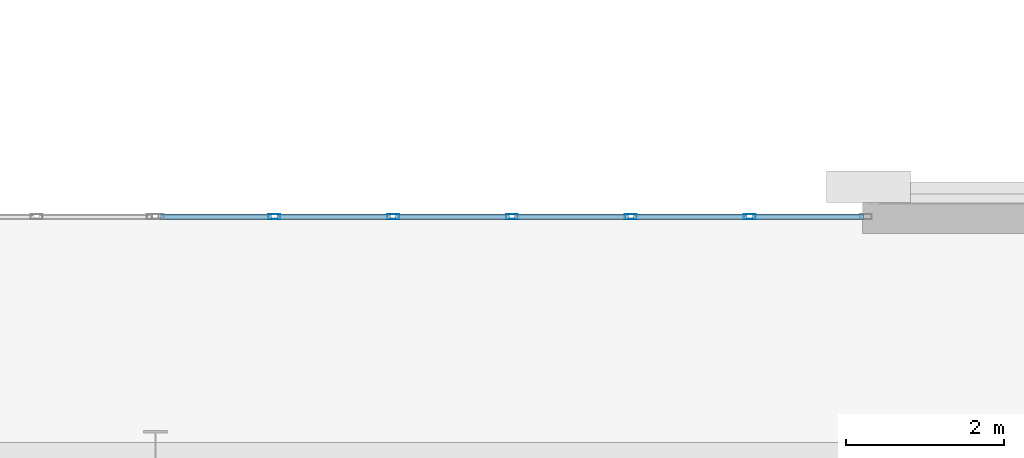
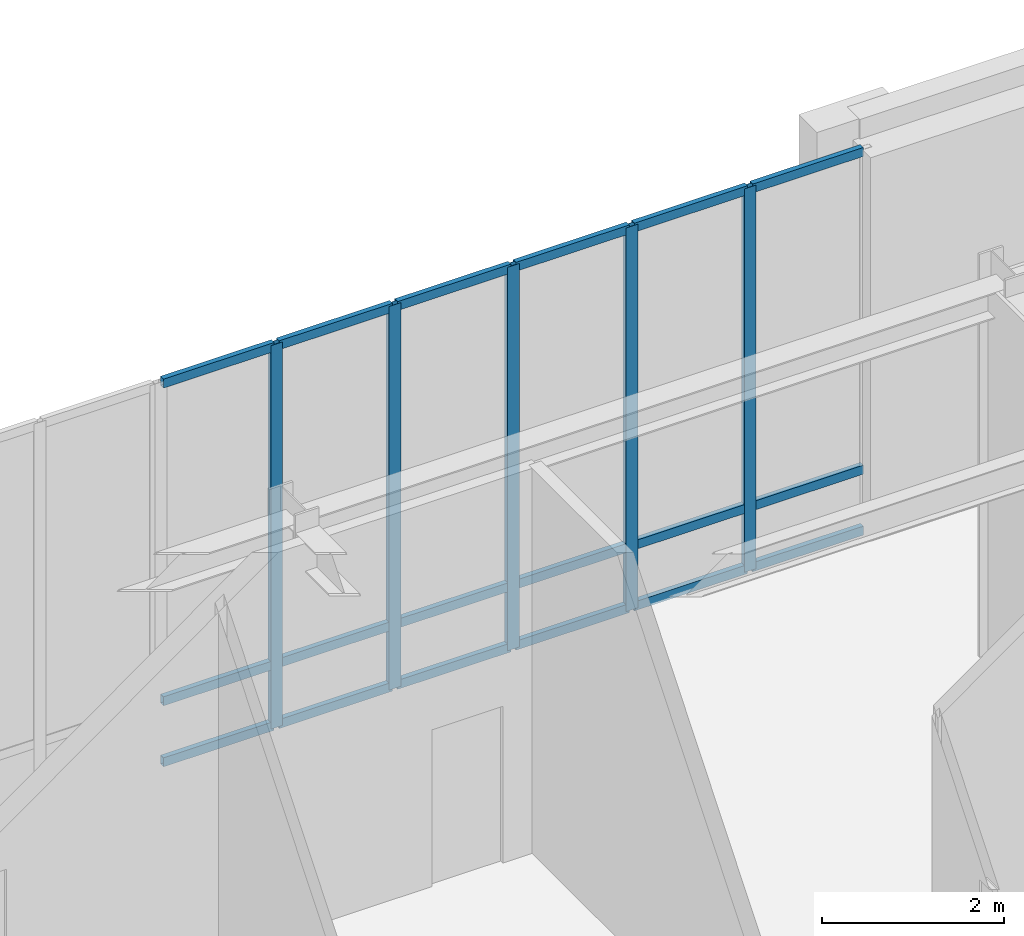
# One storey, part 30 of 77: 23 members, 1 element without a shape of its own.
"""IFC4 building model written with IfcOpenShell, lengths in metres."""

from ifc_helpers import new_model, si_unit, direction, frame, origin, origin_2d, place, context, subcontext, project, spatial, hollow_rectangle, extrude, material, material_profile, profile_set, type_object, element, aggregate, save


model = new_model("IFC4")

# Units and contexts
model_context = context("Model", 3, precision=1e-05, world=origin(), true_north=direction((0.0, 1.0)))
body_context = subcontext(model_context, "Body", "Model", "MODEL_VIEW")
ifc_project = project(units=[si_unit("LENGTHUNIT", "METRE"), si_unit("AREAUNIT", "SQUARE_METRE"), si_unit("VOLUMEUNIT", "CUBIC_METRE"), si_unit("PLANEANGLEUNIT", "RADIAN"), si_unit("MASSUNIT", "GRAM", prefix="KILO")], contexts=[model_context])

# Site, building, storey
site_placement = place(None, origin())
site = spatial("IfcSite", under=ifc_project, at=site_placement, CompositionType="ELEMENT")
building_placement = place(site_placement, origin())
building = spatial("IfcBuilding", under=site, at=building_placement, Name="Lykobir Media Centre", CompositionType="ELEMENT")
storey_placement = place(building_placement, origin())
storey = spatial("IfcBuildingStorey", under=building, at=storey_placement, Name="L00", CompositionType="ELEMENT", Elevation=0.0)

# Curtain wall, members
ifc_material = material(Name="Anodized Aluminium AW-6060", Category="aluminium")
curtain_wall_type = type_object("IfcCurtainWallType", Name="CW-COURT-A", PredefinedType="NOTDEFINED", material=ifc_material)
curtain_wall_placement = place(storey_placement, origin())
curtain_wall = element("IfcCurtainWall", 1, at=curtain_wall_placement, inside=storey, type_object=curtain_wall_type, Name="Curtain wall CW2-L00-0013", PredefinedType="NOTDEFINED")
ifc_material_profile_1 = material_profile(ifc_material, hollow_rectangle(XDim=0.06494140625, YDim=0.14990234375, WallThickness=0.00341796875, at=origin_2d()), Name="ALU MULLION 65x150")
ifc_profile_set_1 = profile_set([ifc_material_profile_1], Name="Anodized Aluminium AW-6060")
member_type_1 = type_object("IfcMemberType", Name="CWM-150", PredefinedType="MULLION", material=ifc_profile_set_1)
member_1_placement = place(storey_placement, frame((64.5, 21.0, 0.0), z_axis=(0.0, 0.0, 1.0), x_axis=(0.0, 1.0, 0.0)))
member_1 = element("IfcMember", 2, at=member_1_placement, type_object=member_type_1, Name="CW2-L00-0013 mullion 2", PredefinedType="MULLION", context=body_context, shape_type="SweptSolid", body=[
    extrude(hollow_rectangle(XDim=0.06494140625, YDim=0.14990234375, WallThickness=0.00341796875, at=origin_2d()), origin(), (0.0, 0.0, 1.0), 5.139892578125),
])
member_2_placement = place(storey_placement, frame((66.0, 21.0, 0.0), z_axis=(0.0, 0.0, 1.0), x_axis=(0.0, 1.0, 0.0)))
member_2 = element("IfcMember", 3, at=member_2_placement, type_object=member_type_1, Name="CW2-L00-0013 mullion 3", PredefinedType="MULLION", context=body_context, shape_type="SweptSolid", body=[
    extrude(hollow_rectangle(XDim=0.06494140625, YDim=0.14990234375, WallThickness=0.00341796875, at=origin_2d()), origin(), (0.0, 0.0, 1.0), 5.139892578125),
])
member_3_placement = place(storey_placement, frame((67.5, 21.0, 0.0), z_axis=(0.0, 0.0, 1.0), x_axis=(0.0, 1.0, 0.0)))
member_3 = element("IfcMember", 4, at=member_3_placement, type_object=member_type_1, Name="CW2-L00-0013 mullion 4", PredefinedType="MULLION", context=body_context, shape_type="SweptSolid", body=[
    extrude(hollow_rectangle(XDim=0.06494140625, YDim=0.14990234375, WallThickness=0.00341796875, at=origin_2d()), origin(), (0.0, 0.0, 1.0), 5.139892578125),
])
member_4_placement = place(storey_placement, frame((69.0, 21.0, 0.0), z_axis=(0.0, 0.0, 1.0), x_axis=(0.0, 1.0, 0.0)))
member_4 = element("IfcMember", 5, at=member_4_placement, type_object=member_type_1, Name="CW2-L00-0013 mullion 5", PredefinedType="MULLION", context=body_context, shape_type="SweptSolid", body=[
    extrude(hollow_rectangle(XDim=0.06494140625, YDim=0.14990234375, WallThickness=0.00341796875, at=origin_2d()), origin(), (0.0, 0.0, 1.0), 5.139892578125),
])
member_5_placement = place(storey_placement, frame((70.5, 21.0, 0.0), z_axis=(0.0, 0.0, 1.0), x_axis=(0.0, 1.0, 0.0)))
member_5 = element("IfcMember", 6, at=member_5_placement, type_object=member_type_1, Name="CW2-L00-0013 mullion 6", PredefinedType="MULLION", context=body_context, shape_type="SweptSolid", body=[
    extrude(hollow_rectangle(XDim=0.06494140625, YDim=0.14990234375, WallThickness=0.00341796875, at=origin_2d()), origin(), (0.0, 0.0, 1.0), 5.139892578125),
])
ifc_material_profile_2 = material_profile(ifc_material, hollow_rectangle(XDim=0.06494140625, YDim=0.1201171875, WallThickness=0.0029296875, at=origin_2d()), Name="ALU TRANSOM 65x120")
ifc_profile_set_2 = profile_set([ifc_material_profile_2], Name="Anodized Aluminium AW-6060")
member_type_2 = type_object("IfcMemberType", Name="CWT-120", PredefinedType="USERDEFINED", material=ifc_profile_set_2)
member_6_placement = place(storey_placement, frame((63.06494140625, 21.0, 0.032470703125), z_axis=(1.0, 0.0, 0.0), x_axis=(0.0, 1.0, 0.0)))
member_6 = element("IfcMember", 7, at=member_6_placement, type_object=member_type_2, Name="CW2-L00-0013 transom 1.1", ObjectType="TRANSOM", PredefinedType="USERDEFINED", context=body_context, shape_type="SweptSolid", body=[
    extrude(hollow_rectangle(XDim=0.06494140625, YDim=0.1201171875, WallThickness=0.0029296875, at=origin_2d()), origin(), (0.0, 0.0, 1.0), 1.402587890625),
])
member_7_placement = place(storey_placement, frame((63.06494140625, 21.0, 0.85009765625), z_axis=(1.0, 0.0, 0.0), x_axis=(0.0, 1.0, 0.0)))
member_7 = element("IfcMember", 8, at=member_7_placement, type_object=member_type_2, Name="CW2-L00-0013 transom 1.2", ObjectType="TRANSOM", PredefinedType="USERDEFINED", context=body_context, shape_type="SweptSolid", body=[
    extrude(hollow_rectangle(XDim=0.06494140625, YDim=0.1201171875, WallThickness=0.0029296875, at=origin_2d()), origin(), (0.0, 0.0, 1.0), 1.402587890625),
])
member_8_placement = place(storey_placement, frame((63.06494140625, 21.0, 5.107421875), z_axis=(1.0, 0.0, 0.0), x_axis=(0.0, 1.0, 0.0)))
member_8 = element("IfcMember", 9, at=member_8_placement, type_object=member_type_2, Name="CW2-L00-0013 transom 1.3", ObjectType="TRANSOM", PredefinedType="USERDEFINED", context=body_context, shape_type="SweptSolid", body=[
    extrude(hollow_rectangle(XDim=0.06494140625, YDim=0.1201171875, WallThickness=0.0029296875, at=origin_2d()), origin(), (0.0, 0.0, 1.0), 1.402587890625),
])
member_9_placement = place(storey_placement, frame((64.532470703125, 21.0, 0.032470703125), z_axis=(1.0, 0.0, 0.0), x_axis=(0.0, 1.0, 0.0)))
member_9 = element("IfcMember", 10, at=member_9_placement, type_object=member_type_2, Name="CW2-L00-0013 transom 2.1", ObjectType="TRANSOM", PredefinedType="USERDEFINED", context=body_context, shape_type="SweptSolid", body=[
    extrude(hollow_rectangle(XDim=0.06494140625, YDim=0.1201171875, WallThickness=0.0029296875, at=origin_2d()), origin(), (0.0, 0.0, 1.0), 1.43505859375),
])
member_10_placement = place(storey_placement, frame((64.532470703125, 21.0, 0.85009765625), z_axis=(1.0, 0.0, 0.0), x_axis=(0.0, 1.0, 0.0)))
member_10 = element("IfcMember", 11, at=member_10_placement, type_object=member_type_2, Name="CW2-L00-0013 transom 2.2", ObjectType="TRANSOM", PredefinedType="USERDEFINED", context=body_context, shape_type="SweptSolid", body=[
    extrude(hollow_rectangle(XDim=0.06494140625, YDim=0.1201171875, WallThickness=0.0029296875, at=origin_2d()), origin(), (0.0, 0.0, 1.0), 1.43505859375),
])
member_11_placement = place(storey_placement, frame((64.532470703125, 21.0, 5.107421875), z_axis=(1.0, 0.0, 0.0), x_axis=(0.0, 1.0, 0.0)))
member_11 = element("IfcMember", 12, at=member_11_placement, type_object=member_type_2, Name="CW2-L00-0013 transom 2.3", ObjectType="TRANSOM", PredefinedType="USERDEFINED", context=body_context, shape_type="SweptSolid", body=[
    extrude(hollow_rectangle(XDim=0.06494140625, YDim=0.1201171875, WallThickness=0.0029296875, at=origin_2d()), origin(), (0.0, 0.0, 1.0), 1.43505859375),
])
member_12_placement = place(storey_placement, frame((66.032470703125, 21.0, 0.032470703125), z_axis=(1.0, 0.0, 0.0), x_axis=(0.0, 1.0, 0.0)))
member_12 = element("IfcMember", 13, at=member_12_placement, type_object=member_type_2, Name="CW2-L00-0013 transom 3.1", ObjectType="TRANSOM", PredefinedType="USERDEFINED", context=body_context, shape_type="SweptSolid", body=[
    extrude(hollow_rectangle(XDim=0.06494140625, YDim=0.1201171875, WallThickness=0.0029296875, at=origin_2d()), origin(), (0.0, 0.0, 1.0), 1.43505859375),
])
member_13_placement = place(storey_placement, frame((66.032470703125, 21.0, 0.85009765625), z_axis=(1.0, 0.0, 0.0), x_axis=(0.0, 1.0, 0.0)))
member_13 = element("IfcMember", 14, at=member_13_placement, type_object=member_type_2, Name="CW2-L00-0013 transom 3.2", ObjectType="TRANSOM", PredefinedType="USERDEFINED", context=body_context, shape_type="SweptSolid", body=[
    extrude(hollow_rectangle(XDim=0.06494140625, YDim=0.1201171875, WallThickness=0.0029296875, at=origin_2d()), origin(), (0.0, 0.0, 1.0), 1.43505859375),
])
member_14_placement = place(storey_placement, frame((66.032470703125, 21.0, 5.107421875), z_axis=(1.0, 0.0, 0.0), x_axis=(0.0, 1.0, 0.0)))
member_14 = element("IfcMember", 15, at=member_14_placement, type_object=member_type_2, Name="CW2-L00-0013 transom 3.3", ObjectType="TRANSOM", PredefinedType="USERDEFINED", context=body_context, shape_type="SweptSolid", body=[
    extrude(hollow_rectangle(XDim=0.06494140625, YDim=0.1201171875, WallThickness=0.0029296875, at=origin_2d()), origin(), (0.0, 0.0, 1.0), 1.43505859375),
])
member_15_placement = place(storey_placement, frame((67.532470703125, 21.0, 0.032470703125), z_axis=(1.0, 0.0, 0.0), x_axis=(0.0, 1.0, 0.0)))
member_15 = element("IfcMember", 16, at=member_15_placement, type_object=member_type_2, Name="CW2-L00-0013 transom 4.1", ObjectType="TRANSOM", PredefinedType="USERDEFINED", context=body_context, shape_type="SweptSolid", body=[
    extrude(hollow_rectangle(XDim=0.06494140625, YDim=0.1201171875, WallThickness=0.0029296875, at=origin_2d()), origin(), (0.0, 0.0, 1.0), 1.43505859375),
])
member_16_placement = place(storey_placement, frame((67.532470703125, 21.0, 0.85009765625), z_axis=(1.0, 0.0, 0.0), x_axis=(0.0, 1.0, 0.0)))
member_16 = element("IfcMember", 17, at=member_16_placement, type_object=member_type_2, Name="CW2-L00-0013 transom 4.2", ObjectType="TRANSOM", PredefinedType="USERDEFINED", context=body_context, shape_type="SweptSolid", body=[
    extrude(hollow_rectangle(XDim=0.06494140625, YDim=0.1201171875, WallThickness=0.0029296875, at=origin_2d()), origin(), (0.0, 0.0, 1.0), 1.43505859375),
])
member_17_placement = place(storey_placement, frame((67.532470703125, 21.0, 5.107421875), z_axis=(1.0, 0.0, 0.0), x_axis=(0.0, 1.0, 0.0)))
member_17 = element("IfcMember", 18, at=member_17_placement, type_object=member_type_2, Name="CW2-L00-0013 transom 4.3", ObjectType="TRANSOM", PredefinedType="USERDEFINED", context=body_context, shape_type="SweptSolid", body=[
    extrude(hollow_rectangle(XDim=0.06494140625, YDim=0.1201171875, WallThickness=0.0029296875, at=origin_2d()), origin(), (0.0, 0.0, 1.0), 1.43505859375),
])
member_18_placement = place(storey_placement, frame((69.032470703125, 21.0, 0.032470703125), z_axis=(1.0, 0.0, 0.0), x_axis=(0.0, 1.0, 0.0)))
member_18 = element("IfcMember", 19, at=member_18_placement, type_object=member_type_2, Name="CW2-L00-0013 transom 5.1", ObjectType="TRANSOM", PredefinedType="USERDEFINED", context=body_context, shape_type="SweptSolid", body=[
    extrude(hollow_rectangle(XDim=0.06494140625, YDim=0.1201171875, WallThickness=0.0029296875, at=origin_2d()), origin(), (0.0, 0.0, 1.0), 1.43505859375),
])
member_19_placement = place(storey_placement, frame((69.032470703125, 21.0, 0.85009765625), z_axis=(1.0, 0.0, 0.0), x_axis=(0.0, 1.0, 0.0)))
member_19 = element("IfcMember", 20, at=member_19_placement, type_object=member_type_2, Name="CW2-L00-0013 transom 5.2", ObjectType="TRANSOM", PredefinedType="USERDEFINED", context=body_context, shape_type="SweptSolid", body=[
    extrude(hollow_rectangle(XDim=0.06494140625, YDim=0.1201171875, WallThickness=0.0029296875, at=origin_2d()), origin(), (0.0, 0.0, 1.0), 1.43505859375),
])
member_20_placement = place(storey_placement, frame((69.032470703125, 21.0, 5.107421875), z_axis=(1.0, 0.0, 0.0), x_axis=(0.0, 1.0, 0.0)))
member_20 = element("IfcMember", 21, at=member_20_placement, type_object=member_type_2, Name="CW2-L00-0013 transom 5.3", ObjectType="TRANSOM", PredefinedType="USERDEFINED", context=body_context, shape_type="SweptSolid", body=[
    extrude(hollow_rectangle(XDim=0.06494140625, YDim=0.1201171875, WallThickness=0.0029296875, at=origin_2d()), origin(), (0.0, 0.0, 1.0), 1.43505859375),
])
member_21_placement = place(storey_placement, frame((70.532470703125, 21.0, 0.032470703125), z_axis=(1.0, 0.0, 0.0), x_axis=(0.0, 1.0, 0.0)))
member_21 = element("IfcMember", 22, at=member_21_placement, type_object=member_type_2, Name="CW2-L00-0013 transom 6.1", ObjectType="TRANSOM", PredefinedType="USERDEFINED", context=body_context, shape_type="SweptSolid", body=[
    extrude(hollow_rectangle(XDim=0.06494140625, YDim=0.1201171875, WallThickness=0.0029296875, at=origin_2d()), origin(), (0.0, 0.0, 1.0), 1.402587890625),
])
member_22_placement = place(storey_placement, frame((70.532470703125, 21.0, 0.85009765625), z_axis=(1.0, 0.0, 0.0), x_axis=(0.0, 1.0, 0.0)))
member_22 = element("IfcMember", 23, at=member_22_placement, type_object=member_type_2, Name="CW2-L00-0013 transom 6.2", ObjectType="TRANSOM", PredefinedType="USERDEFINED", context=body_context, shape_type="SweptSolid", body=[
    extrude(hollow_rectangle(XDim=0.06494140625, YDim=0.1201171875, WallThickness=0.0029296875, at=origin_2d()), origin(), (0.0, 0.0, 1.0), 1.402587890625),
])
member_23_placement = place(storey_placement, frame((70.532470703125, 21.0, 5.107421875), z_axis=(1.0, 0.0, 0.0), x_axis=(0.0, 1.0, 0.0)))
member_23 = element("IfcMember", 24, at=member_23_placement, type_object=member_type_2, Name="CW2-L00-0013 transom 6.3", ObjectType="TRANSOM", PredefinedType="USERDEFINED", context=body_context, shape_type="SweptSolid", body=[
    extrude(hollow_rectangle(XDim=0.06494140625, YDim=0.1201171875, WallThickness=0.0029296875, at=origin_2d()), origin(), (0.0, 0.0, 1.0), 1.402587890625),
])
aggregate(curtain_wall, [member_1, member_2, member_3, member_4, member_5, member_6, member_7, member_8, member_9, member_10, member_11, member_12, member_13, member_14, member_15, member_16, member_17, member_18, member_19, member_20, member_21, member_22, member_23])

save(model, "model.ifc")
